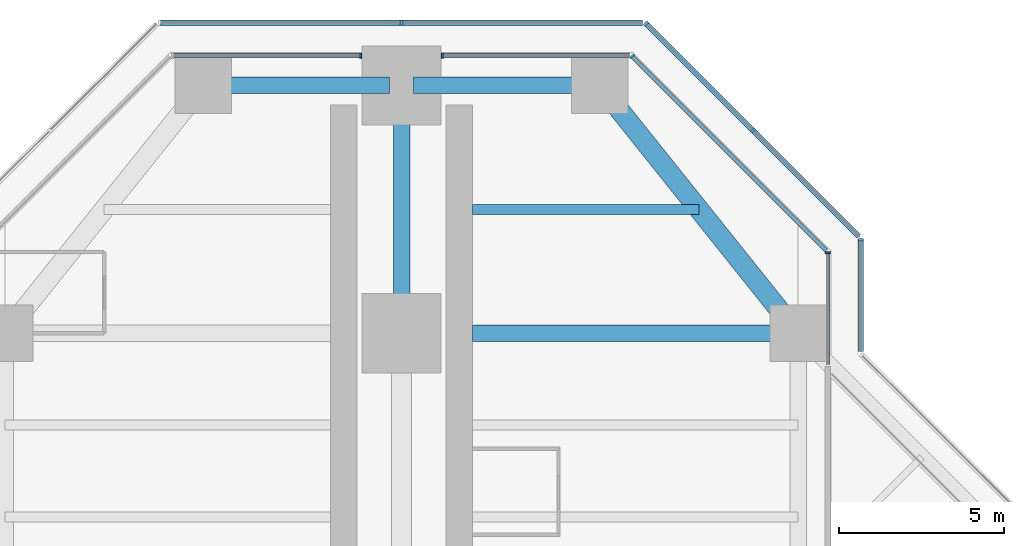
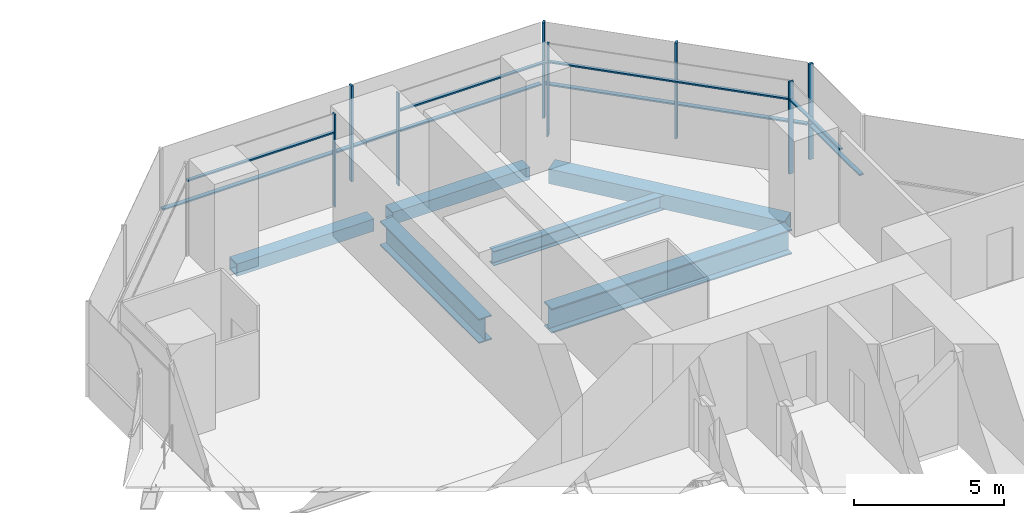
# One storey, part 10 of 20: 17 members, 6 beams, 7 elements without a shape of their own.
"""IFC4 building model written with IfcOpenShell, lengths in metres."""

from ifc_helpers import new_model, si_unit, direction, frame, origin, origin_2d, place, context, subcontext, project, spatial, rectangle, hollow_rectangle, i_section, extrude, material, material_profile, profile_set, type_object, element, aggregate, save


model = new_model("IFC4")

# Units and contexts
model_context = context("Model", 3, precision=1e-05, world=origin(), true_north=direction((0.0, 1.0)))
body_context = subcontext(model_context, "Body", "Model", "MODEL_VIEW")
ifc_project = project(units=[si_unit("LENGTHUNIT", "METRE"), si_unit("AREAUNIT", "SQUARE_METRE"), si_unit("VOLUMEUNIT", "CUBIC_METRE"), si_unit("PLANEANGLEUNIT", "RADIAN"), si_unit("MASSUNIT", "GRAM", prefix="KILO")], contexts=[model_context])

# Site, building, storey
site_placement = place(None, origin())
site = spatial("IfcSite", under=ifc_project, at=site_placement, CompositionType="ELEMENT")
building_placement = place(site_placement, origin())
building = spatial("IfcBuilding", under=site, at=building_placement, Name="Mizan Broadcast Tower", CompositionType="ELEMENT")
storey_placement = place(building_placement, frame((0.0, 0.0, 151.5)))
storey = spatial("IfcBuildingStorey", under=building, at=storey_placement, Name="L34", CompositionType="ELEMENT", Elevation=151.5)

# Beams
ifc_material_1 = material(Name="Steel S355", Category="steel")
ifc_material_profile_1 = material_profile(ifc_material_1, hollow_rectangle(XDim=0.5, YDim=0.5, WallThickness=0.030029296875, at=origin_2d()), Name="BOX 500x500x30")
ifc_profile_set_1 = profile_set([ifc_material_profile_1], Name="Steel S355")
beam_type_1 = type_object("IfcBeamType", Name="EDGE BEAM BOX 500x500x30", PredefinedType="SPANDREL", material=ifc_profile_set_1)
for number, where, z_axis, x_axis, name in (
    (1, (5.639892578125, 27.0, -0.3798828125), (-1.0, 0.0, 0.0), (0.0, -1.0, 0.0), "Edge beam BOX 500x500x30 L34 north arm"),
    (2, (-5.639892578125, 27.0, -0.3798828125), (1.0, 0.0, 0.0), (0.0, 1.0, 0.0), "Edge beam BOX 500x500x30 L34 north arm"),
):
    element("IfcBeam", number, at=place(storey_placement, frame(where, z_axis=z_axis, x_axis=x_axis)), inside=storey, type_object=beam_type_1, Name=name, PredefinedType="SPANDREL", context=body_context, shape_type="SweptSolid", body=[
        extrude(hollow_rectangle(XDim=0.5, YDim=0.5, WallThickness=0.030029296875, at=origin_2d()), origin(), (0.0, 0.0, 1.0), 5.27978515625),
    ])
ifc_material_2 = material(Name="Steel S355", Category="steel")
ifc_material_profile_2 = material_profile(ifc_material_2, hollow_rectangle(XDim=0.60009765625, YDim=0.60009765625, WallThickness=0.030029296875, at=origin_2d()), Name="BOX 600x600x30")
ifc_profile_set_2 = profile_set([ifc_material_profile_2], Name="Steel S355")
beam_type_2 = type_object("IfcBeamType", Name="EDGE BEAM BOX 600x600x30", PredefinedType="SPANDREL", material=ifc_profile_set_2)
beam_1_placement = place(storey_placement, frame((11.639892578125, 19.949951171875, -0.429931640625), z_axis=(-0.624673911726, 0.780885717636, 0.0), x_axis=(-0.780885717636, -0.624673911726, 0.0)))
element("IfcBeam", 3, at=beam_1_placement, inside=storey, type_object=beam_type_2, Name="Edge beam BOX 600x600x30 L34 north arm", PredefinedType="SPANDREL", context=body_context, shape_type="SweptSolid", body=[
    extrude(hollow_rectangle(XDim=0.60009765625, YDim=0.60009765625, WallThickness=0.030029296875, at=origin_2d()), origin(), (0.0, 0.0, 1.0), 8.4521484375),
])
ifc_material_3 = material(Name="Steel S460", Category="steel")
ifc_material_profile_3 = material_profile(ifc_material_3, i_section(OverallWidth=0.5, OverallDepth=1.0, WebThickness=0.02490234375, FlangeThickness=0.050048828125, at=origin_2d()), Name="WPG 1000x500")
ifc_profile_set_3 = profile_set([ifc_material_profile_3], Name="Steel S460")
beam_type_3 = type_object("IfcBeamType", Name="GIRDER WPG 1000x500", PredefinedType="BEAM", material=ifc_profile_set_3)
beam_2_placement = place(storey_placement, frame((0.0, 19.949951171875, -0.6298828125), z_axis=(0.0, 1.0, 0.0), x_axis=(-1.0, 0.0, 0.0)))
element("IfcBeam", 4, at=beam_2_placement, inside=storey, type_object=beam_type_3, Name="Girder WPG 1000x500 L34 north arm", PredefinedType="BEAM", context=body_context, shape_type="SweptSolid", body=[
    extrude(i_section(OverallWidth=0.5, OverallDepth=1.0, WebThickness=0.02490234375, FlangeThickness=0.050048828125, at=origin_2d()), origin(), (0.0, 0.0, 1.0), 6.60009765625),
])
beam_3_placement = place(storey_placement, frame((11.408935546875, 19.5, -0.6298828125), z_axis=(-1.0, 0.0, 0.0), x_axis=(0.0, -1.0, 0.0)))
element("IfcBeam", 5, at=beam_3_placement, inside=storey, type_object=beam_type_3, Name="Girder WPG 1000x500 L34 north arm", PredefinedType="BEAM", context=body_context, shape_type="SweptSolid", body=[
    extrude(i_section(OverallWidth=0.5, OverallDepth=1.0, WebThickness=0.02490234375, FlangeThickness=0.050048828125, at=origin_2d()), origin(), (0.0, 0.0, 1.0), 9.259033203125),
])

# Curtain wall, member
ifc_material_4 = material(Name="Aluminium framed glazing", Category="aluminium")
curtain_wall_type_1 = type_object("IfcCurtainWallType", Name="INNER SKIN MID ZONE", PredefinedType="USERDEFINED", material=ifc_material_4)
curtain_wall_1_placement = place(storey_placement, origin())
curtain_wall_1 = element("IfcCurtainWall", 6, at=curtain_wall_1_placement, inside=storey, type_object=curtain_wall_type_1, Name="Inner skin mid zone L34 N side", ObjectType="INNER SKIN MID ZONE", PredefinedType="USERDEFINED")
ifc_material_5 = material(Name="Aluminium, pale anodised", Category="aluminium")
ifc_material_profile_4 = material_profile(ifc_material_5, rectangle(XDim=0.159912109375, YDim=0.06005859375, at=origin_2d()), Name="MULLION 160x60")
ifc_profile_set_4 = profile_set([ifc_material_profile_4], Name="Aluminium, pale anodised")
member_type_1 = type_object("IfcMemberType", Name="INNER SKIN MULLION 60x160", PredefinedType="MULLION", material=ifc_profile_set_4)
member_1_placement = place(storey_placement, frame((12.89990234375, 21.928466796875, 0.0), z_axis=(0.0, 0.0, 1.0), x_axis=(-1.0, 0.0, 0.0)))
member_1 = element("IfcMember", 7, at=member_1_placement, type_object=member_type_1, Name="Inner skin mid zone L34 N side mullion 2", PredefinedType="MULLION", context=body_context, shape_type="SweptSolid", body=[
    extrude(rectangle(XDim=0.159912109375, YDim=0.06005859375, at=origin_2d()), origin(), (0.0, 0.0, 1.0), 3.77001953125),
])

curtain_wall_2_placement = place(storey_placement, origin())
curtain_wall_2 = element("IfcCurtainWall", 8, at=curtain_wall_2_placement, inside=storey, type_object=curtain_wall_type_1, Name="Inner skin mid zone L34 N chamfer", ObjectType="INNER SKIN MID ZONE", PredefinedType="USERDEFINED")
member_2_placement = place(storey_placement, frame((6.979736328125, 27.87890625, 0.0), z_axis=(0.0, 0.0, 1.0), x_axis=(-0.707106781187, -0.707106781187, 0.0)))
member_2 = element("IfcMember", 9, at=member_2_placement, type_object=member_type_1, Name="Inner skin mid zone L34 N chamfer mullion 2", PredefinedType="MULLION", context=body_context, shape_type="SweptSolid", body=[
    extrude(rectangle(XDim=0.159912109375, YDim=0.06005859375, at=origin_2d()), origin(), (0.0, 0.0, 1.0), 3.77001953125),
])

curtain_wall_3_placement = place(storey_placement, origin())
curtain_wall_3 = element("IfcCurtainWall", 10, at=curtain_wall_3_placement, inside=storey, type_object=curtain_wall_type_1, Name="Inner skin mid zone L34 N end", ObjectType="INNER SKIN MID ZONE", PredefinedType="USERDEFINED")
member_3_placement = place(storey_placement, frame((1.22998046875, 27.89990234375, 0.0), z_axis=(0.0, 0.0, 1.0), x_axis=(0.0, -1.0, 0.0)))
member_3 = element("IfcMember", 11, at=member_3_placement, type_object=member_type_1, Name="Inner skin mid zone L34 N end mullion 2", PredefinedType="MULLION", context=body_context, shape_type="SweptSolid", body=[
    extrude(rectangle(XDim=0.159912109375, YDim=0.06005859375, at=origin_2d()), origin(), (0.0, 0.0, 1.0), 3.77001953125),
])

curtain_wall_4_placement = place(storey_placement, origin())
curtain_wall_4 = element("IfcCurtainWall", 12, at=curtain_wall_4_placement, inside=storey, type_object=curtain_wall_type_1, Name="Inner skin mid zone L34 N end", ObjectType="INNER SKIN MID ZONE", PredefinedType="USERDEFINED")
member_4_placement = place(storey_placement, frame((-1.22998046875, 27.89990234375, 0.0), z_axis=(0.0, 0.0, 1.0), x_axis=(0.0, -1.0, 0.0)))
member_4 = element("IfcMember", 13, at=member_4_placement, type_object=member_type_1, Name="Inner skin mid zone L34 N end mullion 1", PredefinedType="MULLION", context=body_context, shape_type="SweptSolid", body=[
    extrude(rectangle(XDim=0.159912109375, YDim=0.06005859375, at=origin_2d()), origin(), (0.0, 0.0, 1.0), 3.77001953125),
])

# Member
ifc_material_6 = material(Name="Aluminium, pale anodised", Category="aluminium")
ifc_material_profile_5 = material_profile(ifc_material_6, rectangle(XDim=0.1201171875, YDim=0.06005859375, at=origin_2d()), Name="TRANSOM 120x60")
ifc_profile_set_5 = profile_set([ifc_material_profile_5], Name="Aluminium, pale anodised")
member_type_2 = type_object("IfcMemberType", Name="INNER SKIN TRANSOM 60x120", PredefinedType="USERDEFINED", material=ifc_profile_set_5)
member_5_placement = place(storey_placement, frame((12.89990234375, 18.56005859375, 3.030029296875), z_axis=(0.0, 1.0, 0.0), x_axis=(-1.0, 0.0, 0.0)))
member_5 = element("IfcMember", 14, at=member_5_placement, type_object=member_type_2, Name="Inner skin mid zone L34 N side transom 1.1", ObjectType="TRANSOM", PredefinedType="USERDEFINED", context=body_context, shape_type="SweptSolid", body=[
    extrude(rectangle(XDim=0.1201171875, YDim=0.06005859375, at=origin_2d()), origin(), (0.0, 0.0, 1.0), 3.338623046875),
])

aggregate(curtain_wall_1, [member_1, member_5])

member_6_placement = place(storey_placement, frame((12.857666015625, 22.0009765625, 3.030029296875), z_axis=(-0.707106781187, 0.707106781187, 0.0), x_axis=(-0.707106781187, -0.707106781187, 0.0)))
member_6 = element("IfcMember", 15, at=member_6_placement, type_object=member_type_2, Name="Inner skin mid zone L34 N chamfer transom 1.1", ObjectType="TRANSOM", PredefinedType="USERDEFINED", context=body_context, shape_type="SweptSolid", body=[
    extrude(rectangle(XDim=0.1201171875, YDim=0.06005859375, at=origin_2d()), origin(), (0.0, 0.0, 1.0), 8.28271484375),
])

aggregate(curtain_wall_2, [member_2, member_6])

member_7_placement = place(storey_placement, frame((6.898681640625, 27.89990234375, 3.030029296875), z_axis=(-1.0, 0.0, 0.0), x_axis=(0.0, -1.0, 0.0)))
member_7 = element("IfcMember", 16, at=member_7_placement, type_object=member_type_2, Name="Inner skin mid zone L34 N end transom 1.1", ObjectType="TRANSOM", PredefinedType="USERDEFINED", context=body_context, shape_type="SweptSolid", body=[
    extrude(rectangle(XDim=0.1201171875, YDim=0.06005859375, at=origin_2d()), origin(), (0.0, 0.0, 1.0), 5.638671875),
])

aggregate(curtain_wall_3, [member_3, member_7])

member_8_placement = place(storey_placement, frame((-1.260009765625, 27.89990234375, 3.030029296875), z_axis=(-1.0, 0.0, 0.0), x_axis=(0.0, -1.0, 0.0)))
member_8 = element("IfcMember", 17, at=member_8_placement, type_object=member_type_2, Name="Inner skin mid zone L34 N end transom 1.1", ObjectType="TRANSOM", PredefinedType="USERDEFINED", context=body_context, shape_type="SweptSolid", body=[
    extrude(rectangle(XDim=0.1201171875, YDim=0.06005859375, at=origin_2d()), origin(), (0.0, 0.0, 1.0), 5.638671875),
])

aggregate(curtain_wall_4, [member_4, member_8])

# Curtain wall, member
ifc_material_7 = material(Name="Aluminium framed glazing", Category="aluminium")
curtain_wall_type_2 = type_object("IfcCurtainWallType", Name="OUTER SKIN", PredefinedType="USERDEFINED", material=ifc_material_7)
curtain_wall_5_placement = place(storey_placement, origin())
curtain_wall_5 = element("IfcCurtainWall", 18, at=curtain_wall_5_placement, inside=storey, type_object=curtain_wall_type_2, Name="Outer skin L34 N side", ObjectType="OUTER SKIN", PredefinedType="USERDEFINED")
ifc_material_8 = material(Name="Aluminium, pale anodised", Category="aluminium")
ifc_material_profile_6 = material_profile(ifc_material_8, rectangle(XDim=0.159912109375, YDim=0.080078125, at=origin_2d()), Name="MULLION 160x80")
ifc_profile_set_6 = profile_set([ifc_material_profile_6], Name="Aluminium, pale anodised")
member_type_3 = type_object("IfcMemberType", Name="OUTER SKIN MULLION 80x160", PredefinedType="MULLION", material=ifc_profile_set_6)
member_9_placement = place(storey_placement, frame((13.89990234375, 22.332763671875, 0.0), z_axis=(0.0, 0.0, 1.0), x_axis=(-1.0, 0.0, 0.0)))
member_9 = element("IfcMember", 19, at=member_9_placement, type_object=member_type_3, Name="Outer skin L34 N side mullion 2", PredefinedType="MULLION", context=body_context, shape_type="SweptSolid", body=[
    extrude(rectangle(XDim=0.159912109375, YDim=0.080078125, at=origin_2d()), origin(), (0.0, 0.0, 1.0), 3.89990234375),
])

# Curtain wall, members
curtain_wall_6_placement = place(storey_placement, origin())
curtain_wall_6 = element("IfcCurtainWall", 20, at=curtain_wall_6_placement, inside=storey, type_object=curtain_wall_type_2, Name="Outer skin L34 N chamfer", ObjectType="OUTER SKIN", PredefinedType="USERDEFINED")
member_10_placement = place(storey_placement, frame((10.636474609375, 25.636474609375, 0.0), z_axis=(0.0, 0.0, 1.0), x_axis=(-0.707106781187, -0.707106781187, 0.0)))
member_10 = element("IfcMember", 21, at=member_10_placement, type_object=member_type_3, Name="Outer skin L34 N chamfer mullion 2", PredefinedType="MULLION", context=body_context, shape_type="SweptSolid", body=[
    extrude(rectangle(XDim=0.159912109375, YDim=0.080078125, at=origin_2d()), origin(), (0.0, 0.0, 1.0), 3.89990234375),
])
member_11_placement = place(storey_placement, frame((7.401123046875, 28.871826171875, 0.0), z_axis=(0.0, 0.0, 1.0), x_axis=(-0.707106781187, -0.707106781187, 0.0)))
member_11 = element("IfcMember", 22, at=member_11_placement, type_object=member_type_3, Name="Outer skin L34 N chamfer mullion 3", PredefinedType="MULLION", context=body_context, shape_type="SweptSolid", body=[
    extrude(rectangle(XDim=0.159912109375, YDim=0.080078125, at=origin_2d()), origin(), (0.0, 0.0, 1.0), 3.89990234375),
])

# Curtain wall, member
curtain_wall_7_placement = place(storey_placement, origin())
curtain_wall_7 = element("IfcCurtainWall", 23, at=curtain_wall_7_placement, inside=storey, type_object=curtain_wall_type_2, Name="Outer skin L34 N end", ObjectType="OUTER SKIN", PredefinedType="USERDEFINED")
member_12_placement = place(storey_placement, frame((0.0, 28.89990234375, 0.0), z_axis=(0.0, 0.0, 1.0), x_axis=(0.0, -1.0, 0.0)))
member_12 = element("IfcMember", 24, at=member_12_placement, type_object=member_type_3, Name="Outer skin L34 N end mullion 2", PredefinedType="MULLION", context=body_context, shape_type="SweptSolid", body=[
    extrude(rectangle(XDim=0.159912109375, YDim=0.080078125, at=origin_2d()), origin(), (0.0, 0.0, 1.0), 3.89990234375),
])

# Member
ifc_material_9 = material(Name="Aluminium, pale anodised", Category="aluminium")
ifc_material_profile_7 = material_profile(ifc_material_9, rectangle(XDim=0.159912109375, YDim=0.06005859375, at=origin_2d()), Name="TRANSOM 160x60")
ifc_profile_set_7 = profile_set([ifc_material_profile_7], Name="Aluminium, pale anodised")
member_type_4 = type_object("IfcMemberType", Name="OUTER SKIN TRANSOM 60x160", PredefinedType="USERDEFINED", material=ifc_profile_set_7)
member_13_placement = place(storey_placement, frame((13.89990234375, 18.952880859375, 1.39990234375), z_axis=(0.0, 1.0, 0.0), x_axis=(-1.0, 0.0, 0.0)))
member_13 = element("IfcMember", 25, at=member_13_placement, type_object=member_type_4, Name="Outer skin L34 N side transom 1.1", ObjectType="TRANSOM", PredefinedType="USERDEFINED", context=body_context, shape_type="SweptSolid", body=[
    extrude(rectangle(XDim=0.159912109375, YDim=0.06005859375, at=origin_2d()), origin(), (0.0, 0.0, 1.0), 3.33984375),
])

aggregate(curtain_wall_5, [member_9, member_13])

member_14_placement = place(storey_placement, frame((13.843505859375, 22.429443359375, 1.39990234375), z_axis=(-0.707106781187, 0.707106781187, 0.0), x_axis=(-0.707106781187, -0.707106781187, 0.0)))
member_14 = element("IfcMember", 26, at=member_14_placement, type_object=member_type_4, Name="Outer skin L34 N chamfer transom 1.1", ObjectType="TRANSOM", PredefinedType="USERDEFINED", context=body_context, shape_type="SweptSolid", body=[
    extrude(rectangle(XDim=0.159912109375, YDim=0.06005859375, at=origin_2d()), origin(), (0.0, 0.0, 1.0), 4.495361328125),
])

member_15_placement = place(storey_placement, frame((10.608154296875, 25.664794921875, 1.39990234375), z_axis=(-0.707106781187, 0.707106781187, 0.0), x_axis=(-0.707106781187, -0.707106781187, 0.0)))
member_15 = element("IfcMember", 27, at=member_15_placement, type_object=member_type_4, Name="Outer skin L34 N chamfer transom 2.1", ObjectType="TRANSOM", PredefinedType="USERDEFINED", context=body_context, shape_type="SweptSolid", body=[
    extrude(rectangle(XDim=0.159912109375, YDim=0.06005859375, at=origin_2d()), origin(), (0.0, 0.0, 1.0), 4.495361328125),
])

aggregate(curtain_wall_6, [member_10, member_11, member_14, member_15])

member_16_placement = place(storey_placement, frame((7.292724609375, 28.89990234375, 1.39990234375), z_axis=(-1.0, 0.0, 0.0), x_axis=(0.0, -1.0, 0.0)))
member_16 = element("IfcMember", 28, at=member_16_placement, type_object=member_type_4, Name="Outer skin L34 N end transom 1.1", ObjectType="TRANSOM", PredefinedType="USERDEFINED", context=body_context, shape_type="SweptSolid", body=[
    extrude(rectangle(XDim=0.159912109375, YDim=0.06005859375, at=origin_2d()), origin(), (0.0, 0.0, 1.0), 7.252685546875),
])

member_17_placement = place(storey_placement, frame((-0.0400390625, 28.89990234375, 1.39990234375), z_axis=(-1.0, 0.0, 0.0), x_axis=(0.0, -1.0, 0.0)))
member_17 = element("IfcMember", 29, at=member_17_placement, type_object=member_type_4, Name="Outer skin L34 N end transom 2.1", ObjectType="TRANSOM", PredefinedType="USERDEFINED", context=body_context, shape_type="SweptSolid", body=[
    extrude(rectangle(XDim=0.159912109375, YDim=0.06005859375, at=origin_2d()), origin(), (0.0, 0.0, 1.0), 7.252685546875),
])

aggregate(curtain_wall_7, [member_12, member_16, member_17])

# Beam
ifc_material_10 = material(Name="Steel S355", Category="steel")
ifc_material_profile_8 = material_profile(ifc_material_10, i_section(OverallWidth=0.300048828125, OverallDepth=0.590087890625, WebThickness=0.012939453125, FlangeThickness=0.02490234375, FilletRadius=0.027099609375, at=origin_2d()), Name="HEA 600")
ifc_profile_set_8 = profile_set([ifc_material_profile_8], Name="Steel S355")
beam_type_4 = type_object("IfcBeamType", Name="SECONDARY BEAM HEA 600", PredefinedType="JOIST", material=ifc_profile_set_8)
beam_4_placement = place(storey_placement, frame((9.0, 23.25, -0.425048828125), z_axis=(-1.0, 0.0, 0.0), x_axis=(0.0, -1.0, 0.0)))
element("IfcBeam", 30, at=beam_4_placement, inside=storey, type_object=beam_type_4, Name="Secondary beam HEA 600 L34 north arm", PredefinedType="JOIST", context=body_context, shape_type="SweptSolid", body=[
    extrude(i_section(OverallWidth=0.300048828125, OverallDepth=0.590087890625, WebThickness=0.012939453125, FlangeThickness=0.02490234375, FilletRadius=0.027099609375, at=origin_2d()), origin(), (0.0, 0.0, 1.0), 6.85009765625),
])

save(model, "model.ifc")
